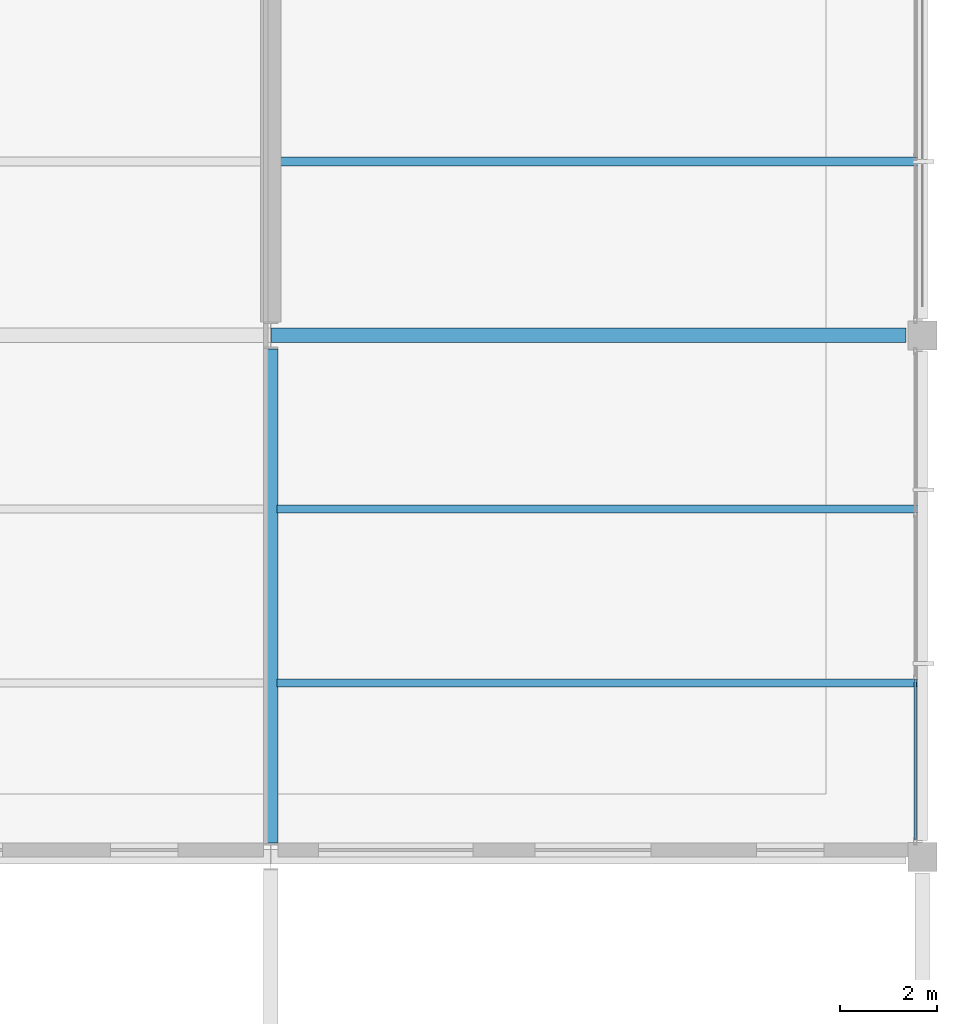
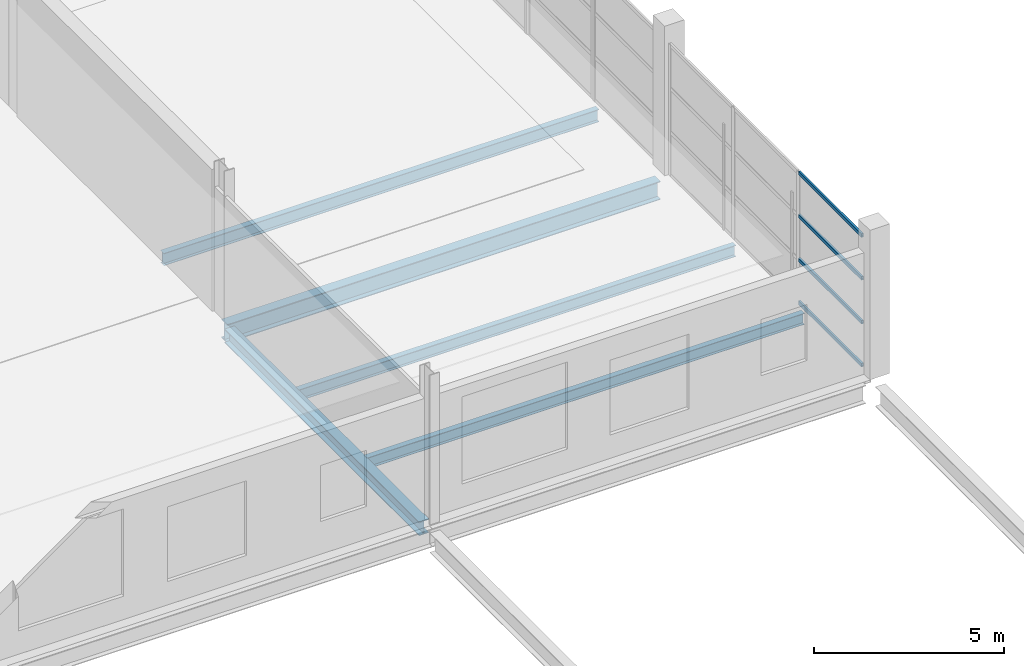
# One storey, part 97 of 134: 5 beams, 4 members, 1 element without a shape of its own.
"""IFC4 building model written with IfcOpenShell, lengths in metres."""

from ifc_helpers import new_model, si_unit, direction, frame, origin, origin_2d, place, context, subcontext, project, spatial, hollow_rectangle, i_section, extrude, material, layer, layer_set, material_profile, profile_set, type_object, element, aggregate, save


model = new_model("IFC4")

# Units and contexts
model_context = context("Model", 3, precision=1e-05, world=origin(), true_north=direction((0.0, 1.0)))
body_context = subcontext(model_context, "Body", "Model", "MODEL_VIEW")
ifc_project = project(units=[si_unit("LENGTHUNIT", "METRE"), si_unit("AREAUNIT", "SQUARE_METRE"), si_unit("VOLUMEUNIT", "CUBIC_METRE"), si_unit("PLANEANGLEUNIT", "RADIAN"), si_unit("MASSUNIT", "GRAM", prefix="KILO")], contexts=[model_context])

# Site, building, storey
site_placement = place(None, origin())
site = spatial("IfcSite", under=ifc_project, at=site_placement, CompositionType="ELEMENT")
building_placement = place(site_placement, origin())
building = spatial("IfcBuilding", under=site, at=building_placement, Name="Tamarisk Ironworks Central Station", CompositionType="ELEMENT")
storey_placement = place(building_placement, frame((0.0, 0.0, 12.60009765625)))
storey = spatial("IfcBuildingStorey", under=building, at=storey_placement, Name="L02", CompositionType="ELEMENT", Elevation=12.60009765625)

# Beams
ifc_material_1 = material(Name="Structural steel S355J2", Category="steel")
ifc_material_profile_1 = material_profile(ifc_material_1, i_section(OverallWidth=0.179931640625, OverallDepth=0.39990234375, WebThickness=0.008544921875, FlangeThickness=0.013427734375, at=origin_2d()), Name="IPE 400")
ifc_profile_set_1 = profile_set([ifc_material_profile_1], Name="Structural steel S355J2")
beam_type_1 = type_object("IfcBeamType", Name="BM-B04", PredefinedType="BEAM", material=ifc_profile_set_1)
beam_1_placement = place(storey_placement, frame((166.699951171875, 93.60009765625, -0.4501953125), z_axis=(1.0, 0.0, 0.0), x_axis=(0.0, 1.0, 0.0)))
element("IfcBeam", 1, at=beam_1_placement, inside=storey, type_object=beam_type_1, Name="L02 secondary composite beam 0174", PredefinedType="BEAM", context=body_context, shape_type="SweptSolid", body=[
    extrude(i_section(OverallWidth=0.179931640625, OverallDepth=0.39990234375, WebThickness=0.008544921875, FlangeThickness=0.013427734375, at=origin_2d()), origin(), (0.0, 0.0, 1.0), 13.215087890625),
])
ifc_material_profile_2 = material_profile(ifc_material_1, i_section(OverallWidth=0.169921875, OverallDepth=0.360107421875, WebThickness=0.008056640625, FlangeThickness=0.0126953125, at=origin_2d()), Name="IPE 360")
ifc_profile_set_2 = profile_set([ifc_material_profile_2], Name="Structural steel S355J2")
beam_type_2 = type_object("IfcBeamType", Name="BM-B05", PredefinedType="BEAM", material=ifc_profile_set_2)
for number, where, z_axis, x_axis, name in (
    (2, (166.635009765625, 82.800048828125, -0.43017578125), (1.0, 0.0, 0.0), (0.0, 1.0, 0.0), "L02 secondary composite beam 0184"),
    (3, (166.635009765625, 86.39990234375, -0.43017578125), (1.0, 0.0, 0.0), (0.0, 1.0, 0.0), "L02 secondary composite beam 0185"),
):
    element("IfcBeam", number, at=place(storey_placement, frame(where, z_axis=z_axis, x_axis=x_axis)), inside=storey, type_object=beam_type_2, Name=name, PredefinedType="BEAM", context=body_context, shape_type="SweptSolid", body=[
        extrude(i_section(OverallWidth=0.169921875, OverallDepth=0.360107421875, WebThickness=0.008056640625, FlangeThickness=0.0126953125, at=origin_2d()), origin(), (0.0, 0.0, 1.0), 13.280029296875),
    ])
ifc_material_profile_3 = material_profile(ifc_material_1, i_section(OverallWidth=0.300048828125, OverallDepth=0.590087890625, WebThickness=0.012939453125, FlangeThickness=0.02490234375, at=origin_2d()), Name="HEA 600")
ifc_profile_set_3 = profile_set([ifc_material_profile_3], Name="Structural steel S355J2")
beam_type_3 = type_object("IfcBeamType", Name="BM-G03", PredefinedType="BEAM", material=ifc_profile_set_3)
beam_2_placement = place(storey_placement, frame((166.50390625, 90.0, -0.545166015625), z_axis=(1.0, 0.0, 0.0), x_axis=(0.0, 1.0, 0.0)))
element("IfcBeam", 4, at=beam_2_placement, inside=storey, type_object=beam_type_3, Name="L02 primary girder X-0380", PredefinedType="BEAM", context=body_context, shape_type="SweptSolid", body=[
    extrude(i_section(OverallWidth=0.300048828125, OverallDepth=0.590087890625, WebThickness=0.012939453125, FlangeThickness=0.02490234375, at=origin_2d()), origin(), (0.0, 0.0, 1.0), 13.158203125),
])
ifc_material_profile_4 = material_profile(ifc_material_1, i_section(OverallWidth=0.300048828125, OverallDepth=0.43994140625, WebThickness=0.011474609375, FlangeThickness=0.02099609375, at=origin_2d()), Name="HEA 450")
ifc_profile_set_4 = profile_set([ifc_material_profile_4], Name="Structural steel S355J2")
beam_type_4 = type_object("IfcBeamType", Name="BM-G06", PredefinedType="BEAM", material=ifc_profile_set_4)
beam_3_placement = place(storey_placement, frame((166.5, 79.488037109375, -0.47021484375), z_axis=(0.0, 1.0, 0.0), x_axis=(-1.0, 0.0, 0.0)))
element("IfcBeam", 5, at=beam_3_placement, inside=storey, type_object=beam_type_4, Name="L02 primary girder Y-0527", PredefinedType="BEAM", context=body_context, shape_type="SweptSolid", body=[
    extrude(i_section(OverallWidth=0.300048828125, OverallDepth=0.43994140625, WebThickness=0.011474609375, FlangeThickness=0.02099609375, at=origin_2d()), origin(), (0.0, 0.0, 1.0), 10.223876953125),
])

# Curtain wall, members
ifc_material_2 = material(Name="Anodized aluminium alloy 6063-T6", Category="aluminium")
ifc_layer = layer(ifc_material_2, 0.179931640625)
ifc_layer_set = layer_set([ifc_layer], Name="Anodized aluminium alloy 6063-T6")
curtain_wall_type = type_object("IfcCurtainWallType", Name="CW-17", PredefinedType="USERDEFINED", material=ifc_layer_set)
curtain_wall_placement = place(storey_placement, origin())
curtain_wall = element("IfcCurtainWall", 6, at=curtain_wall_placement, inside=storey, type_object=curtain_wall_type, Name="Operations L02 east facade curtain wall 079", ObjectType="GLAZED CURTAIN WALL", PredefinedType="USERDEFINED")
ifc_material_profile_5 = material_profile(ifc_material_2, hollow_rectangle(XDim=0.06005859375, YDim=0.114990234375, WallThickness=0.00341796875, at=origin_2d()), Name="ALUM 115x60")
ifc_profile_set_5 = profile_set([ifc_material_profile_5], Name="Anodized aluminium alloy 6063-T6")
member_type = type_object("IfcMemberType", Name="CWT-03", PredefinedType="USERDEFINED", material=ifc_profile_set_5)
member_1_placement = place(storey_placement, frame((179.85009765625, 79.553955078125, 0.02978515625), z_axis=(0.0, 1.0, 0.0), x_axis=(-1.0, 0.0, 0.0)))
member_1 = element("IfcMember", 7, at=member_1_placement, type_object=member_type, Name="CW17 transom 1.1", ObjectType="TRANSOM", PredefinedType="USERDEFINED", context=body_context, shape_type="SweptSolid", body=[
    extrude(hollow_rectangle(XDim=0.06005859375, YDim=0.114990234375, WallThickness=0.00341796875, at=origin_2d()), origin(), (0.0, 0.0, 1.0), 3.3193359375),
])
member_2_placement = place(storey_placement, frame((179.85009765625, 79.553955078125, 1.406494140625), z_axis=(0.0, 1.0, 0.0), x_axis=(-1.0, 0.0, 0.0)))
member_2 = element("IfcMember", 8, at=member_2_placement, type_object=member_type, Name="CW17 transom 1.2", ObjectType="TRANSOM", PredefinedType="USERDEFINED", context=body_context, shape_type="SweptSolid", body=[
    extrude(hollow_rectangle(XDim=0.06005859375, YDim=0.114990234375, WallThickness=0.00341796875, at=origin_2d()), origin(), (0.0, 0.0, 1.0), 3.3193359375),
])
member_3_placement = place(storey_placement, frame((179.85009765625, 79.553955078125, 2.813232421875), z_axis=(0.0, 1.0, 0.0), x_axis=(-1.0, 0.0, 0.0)))
member_3 = element("IfcMember", 9, at=member_3_placement, type_object=member_type, Name="CW17 transom 1.3", ObjectType="TRANSOM", PredefinedType="USERDEFINED", context=body_context, shape_type="SweptSolid", body=[
    extrude(hollow_rectangle(XDim=0.06005859375, YDim=0.114990234375, WallThickness=0.00341796875, at=origin_2d()), origin(), (0.0, 0.0, 1.0), 3.3193359375),
])
member_4_placement = place(storey_placement, frame((179.85009765625, 79.553955078125, 4.18994140625), z_axis=(0.0, 1.0, 0.0), x_axis=(-1.0, 0.0, 0.0)))
member_4 = element("IfcMember", 10, at=member_4_placement, type_object=member_type, Name="CW17 transom 1.4", ObjectType="TRANSOM", PredefinedType="USERDEFINED", context=body_context, shape_type="SweptSolid", body=[
    extrude(hollow_rectangle(XDim=0.06005859375, YDim=0.114990234375, WallThickness=0.00341796875, at=origin_2d()), origin(), (0.0, 0.0, 1.0), 3.3193359375),
])
aggregate(curtain_wall, [member_1, member_2, member_3, member_4])

save(model, "model.ifc")
